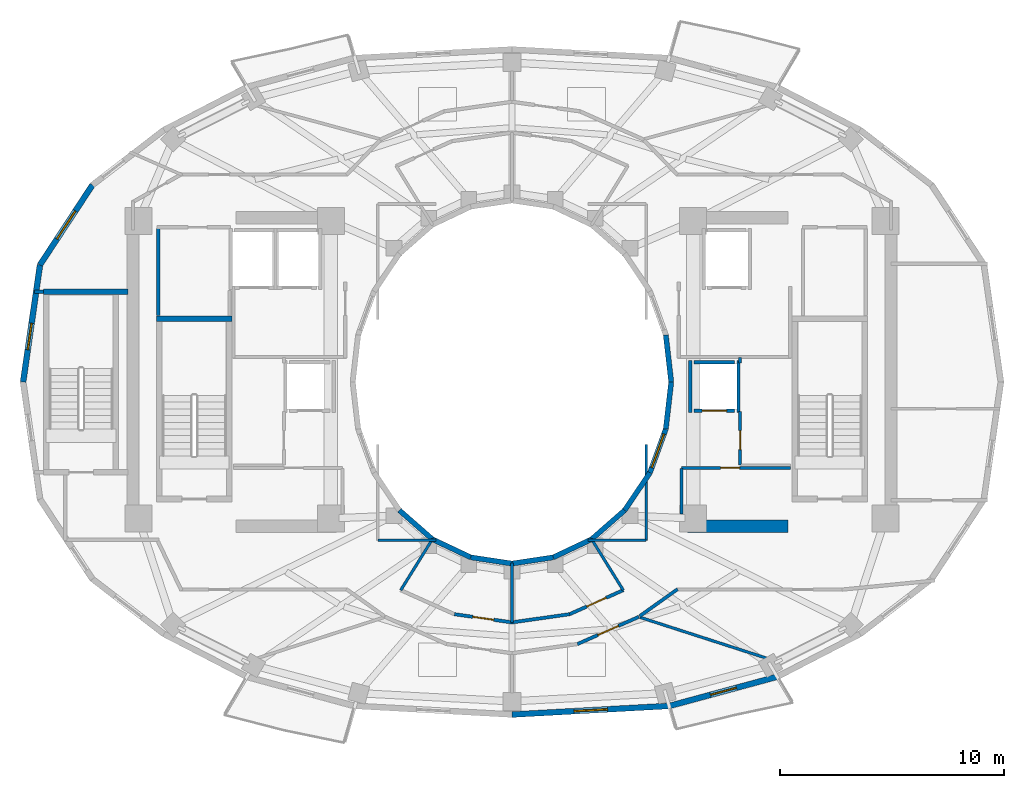
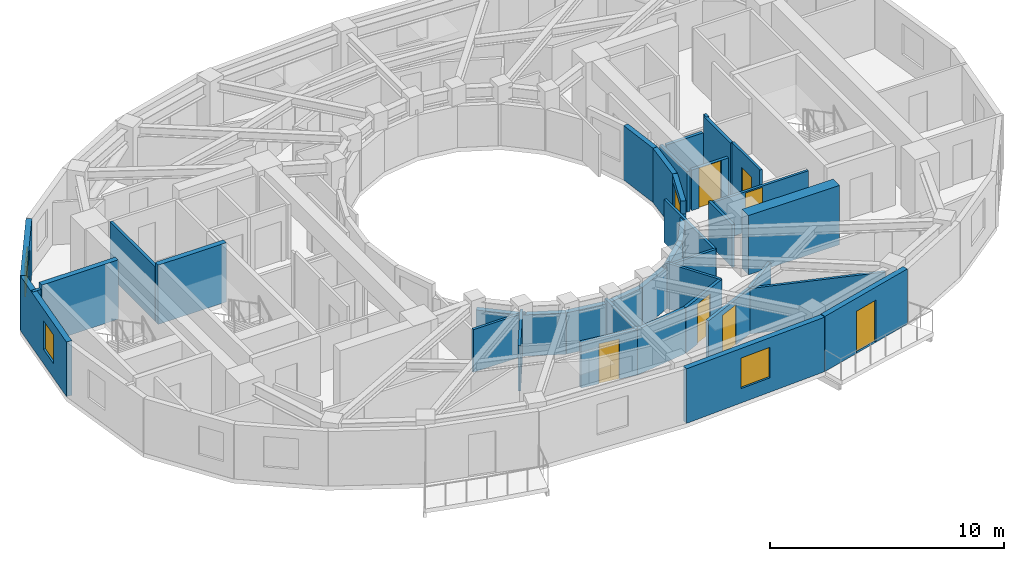
# One storey, part 4 of 10: 39 walls, 7 doors, 4 windows, 11 openings.
"""IFC4 building model written with IfcOpenShell, lengths in metres."""

from ifc_helpers import new_model, si_unit, direction, frame, frame_2d, origin, place, context, subcontext, project, spatial, rectangle, extrude, material, layer, layer_set, type_object, element, fill, save


model = new_model("IFC4")

# Units and contexts
model_context = context("Model", 3, precision=1e-05, world=origin(), true_north=direction((0.0, 1.0)))
body_context = subcontext(model_context, "Body", "Model", "MODEL_VIEW")
ifc_project = project(units=[si_unit("LENGTHUNIT", "METRE"), si_unit("AREAUNIT", "SQUARE_METRE"), si_unit("VOLUMEUNIT", "CUBIC_METRE"), si_unit("PLANEANGLEUNIT", "RADIAN"), si_unit("MASSUNIT", "GRAM", prefix="KILO")], contexts=[model_context])

# Site, building, storey
site_placement = place(None, origin())
site = spatial("IfcSite", under=ifc_project, at=site_placement, CompositionType="ELEMENT")
building_placement = place(site_placement, origin())
building = spatial("IfcBuilding", under=site, at=building_placement, Name="Solvane Sanctuary Tower", CompositionType="ELEMENT")
storey_placement = place(building_placement, frame((0.0, 0.0, 204.699951171875)))
storey = spatial("IfcBuildingStorey", under=building, at=storey_placement, Name="L62", CompositionType="ELEMENT", Elevation=204.699951171875)

# Wall
ifc_material_1 = material(Name="Concrete C50/60", Category="concrete")
ifc_layer_1 = layer(ifc_material_1, 0.550048828125, Name="Concrete C50/60")
ifc_layer_set_1 = layer_set([ifc_layer_1], Name="Concrete C50/60")
wall_type_1 = type_object("IfcWallType", Name="Wall W-CORE-550", PredefinedType="SHEAR", material=ifc_layer_set_1)
wall_1_placement = place(storey_placement, frame((39.85009765625, 16.550048828125, 0.0), z_axis=(0.0, 0.0, 1.0), x_axis=(1.0, 0.0, 0.0)))
element("IfcWall", 1, at=wall_1_placement, inside=storey, type_object=wall_type_1, Name="L62 Core Shear Wall EC-S", PredefinedType="SHEAR", context=body_context, shape_type="SweptSolid", body=[
    extrude(rectangle(XDim=4.5, YDim=0.550048828125, at=frame_2d((2.25, 0.0))), origin(), (0.0, 0.0, 1.0), 3.10009765625),
])

# Wall, opening, door
ifc_material_2 = material(Name="Acoustic Gypsum Partition Board")
ifc_layer_2 = layer(ifc_material_2, 0.14990234375, Name="Acoustic Gypsum Partition Board")
ifc_layer_set_2 = layer_set([ifc_layer_2], Name="Acoustic Gypsum Partition Board")
wall_type_2 = type_object("IfcWallType", Name="Wall W-CORR-150", PredefinedType="PARTITIONING", material=ifc_layer_set_2)
wall_2_placement = place(storey_placement, frame((29.423095703125, 12.61669921875, 0.0), z_axis=(0.0, 0.0, 1.0), x_axis=(0.990078185178, -0.140517569133, 0.0)))
wall_2 = element("IfcWall", 2, at=wall_2_placement, inside=storey, type_object=wall_type_2, Name="L62 South Light-Well Corridor Wall 1", PredefinedType="PARTITIONING", context=body_context, shape_type="SweptSolid", body=[
    extrude(rectangle(XDim=2.609619140625, YDim=0.14990234375, at=frame_2d((1.3046875, 0.0))), origin(), (0.0, 0.0, 1.0), 2.3759765625),
])
opening_1_placement = place(wall_2_placement, frame((0.829833984375, 0.0, 0.0)))
opening_1 = element("IfcOpeningElement", 3, at=opening_1_placement, cuts=wall_2, Name="Opening D-L62-18", PredefinedType="OPENING", context=body_context, shape_type="SweptSolid", body=[
    extrude(rectangle(XDim=0.949951171875, YDim=2.10009765625, at=frame_2d((0.47509765625, 1.050048828125))), frame((0.0, 0.0849609375, 0.0), z_axis=(0.0, -1.0, 0.0), x_axis=(1.0, 0.0, 0.0)), (0.0, 0.0, 1.0), 0.169921875),
])
ifc_material_3 = material(Name="Engineered Tropical Hardwood", Category="wood")
door_type_1 = type_object("IfcDoorType", Name="Door D-ROOM-950", OperationType="NOTDEFINED", PredefinedType="DOOR", material=ifc_material_3)
door_1_placement = place(opening_1_placement, origin())
door_1 = element("IfcDoor", 4, at=door_1_placement, inside=storey, type_object=door_type_1, Name="L62 South Light-Well Alcove Door 1", OperationType="SINGLE_SWING_LEFT", OverallHeight=2.10009765625, OverallWidth=0.949951171875, PredefinedType="DOOR", context=body_context, shape_type="SweptSolid", body=[
    extrude(rectangle(XDim=0.949951171875, YDim=2.10009765625, at=frame_2d((0.47509765625, 1.050048828125))), frame((0.0, 0.02490234375, 0.0), z_axis=(0.0, -1.0, 0.0), x_axis=(1.0, 0.0, 0.0)), (0.0, 0.0, 1.0), 0.050048828125),
])
fill(opening_1, door_1)

# Wall
wall_3_placement = place(storey_placement, frame((31.9931640625, 12.25, 0.0), z_axis=(0.0, 0.0, 1.0), x_axis=(0.990078185178, 0.140517569133, 0.0)))
element("IfcWall", 5, at=wall_3_placement, inside=storey, type_object=wall_type_2, Name="L62 South Light-Well Corridor Wall 2", PredefinedType="PARTITIONING", context=body_context, shape_type="SweptSolid", body=[
    extrude(rectangle(XDim=2.609619140625, YDim=0.14990234375, at=frame_2d((1.3046875, 0.0))), origin(), (0.0, 0.0, 1.0), 2.3759765625),
])

# Wall, opening, door
wall_4_placement = place(storey_placement, frame((34.573486328125, 12.61572265625, 0.0), z_axis=(0.0, 0.0, 1.0), x_axis=(0.912628408652, 0.408790151203, 0.0)))
wall_4 = element("IfcWall", 6, at=wall_4_placement, inside=storey, type_object=wall_type_2, Name="L62 South Light-Well Corridor Wall 2", PredefinedType="PARTITIONING", context=body_context, shape_type="SweptSolid", body=[
    extrude(rectangle(XDim=2.637939453125, YDim=0.14990234375, at=frame_2d((1.31884765625, 0.0))), origin(), (0.0, 0.0, 1.0), 2.3759765625),
])
opening_2_placement = place(wall_4_placement, frame((0.843994140625, 0.0, 0.0)))
opening_2 = element("IfcOpeningElement", 7, at=opening_2_placement, cuts=wall_4, Name="Opening D-L62-19", PredefinedType="OPENING", context=body_context, shape_type="SweptSolid", body=[
    extrude(rectangle(XDim=0.949951171875, YDim=2.10009765625, at=frame_2d((0.47509765625, 1.050048828125))), frame((0.0, 0.0849609375, 0.0), z_axis=(0.0, -1.0, 0.0), x_axis=(1.0, 0.0, 0.0)), (0.0, 0.0, 1.0), 0.169921875),
])
door_2_placement = place(opening_2_placement, origin())
door_2 = element("IfcDoor", 8, at=door_2_placement, inside=storey, type_object=door_type_1, Name="L62 South Light-Well Alcove Door 2", OperationType="SINGLE_SWING_RIGHT", OverallHeight=2.10009765625, OverallWidth=0.949951171875, PredefinedType="DOOR", context=body_context, shape_type="SweptSolid", body=[
    extrude(rectangle(XDim=0.949951171875, YDim=2.10009765625, at=frame_2d((0.47509765625, 1.050048828125))), frame((0.0, 0.02490234375, 0.0), z_axis=(0.0, -1.0, 0.0), x_axis=(1.0, 0.0, 0.0)), (0.0, 0.0, 1.0), 0.050048828125),
])
fill(opening_2, door_2)

# Walls
wall_5_placement = place(storey_placement, frame((10.639892578125, 27.030029296875, 0.0), z_axis=(0.0, 0.0, 1.0), x_axis=(1.0, 0.0, 0.0)))
element("IfcWall", 9, at=wall_5_placement, inside=storey, type_object=wall_type_2, Name="L62 NW Corner Closer 1", PredefinedType="PARTITIONING", context=body_context, shape_type="SweptSolid", body=[
    extrude(rectangle(XDim=0.400146484375, YDim=0.14990234375, at=frame_2d((0.2001953125, 0.0))), origin(), (0.0, 0.0, 1.0), 2.85498046875),
])
wall_6_placement = place(storey_placement, frame((37.709716796875, 12.527099609375, 0.0), z_axis=(0.0, 0.0, 1.0), x_axis=(0.813780999276, 0.581171648669, 0.0)))
element("IfcWall", 10, at=wall_6_placement, inside=storey, type_object=wall_type_2, Name="L62 SE Corner Throat Wall", PredefinedType="PARTITIONING", context=body_context, shape_type="SweptSolid", body=[
    extrude(rectangle(XDim=2.082275390625, YDim=0.14990234375, at=frame_2d((1.041015625, 0.0))), origin(), (0.0, 0.0, 1.0), 2.3759765625),
])

# Wall, opening, door
wall_7_placement = place(storey_placement, frame((34.9248046875, 11.281005859375, 0.0), z_axis=(0.0, 0.0, 1.0), x_axis=(0.914139569865, 0.405399613724, 0.0)))
wall_7 = element("IfcWall", 11, at=wall_7_placement, inside=storey, type_object=wall_type_2, Name="L62 Unit Corridor Wall S2", PredefinedType="PARTITIONING", context=body_context, shape_type="SweptSolid", body=[
    extrude(rectangle(XDim=3.005126953125, YDim=0.14990234375, at=frame_2d((1.50244140625, 0.0))), origin(), (0.0, 0.0, 1.0), 2.3759765625),
])
opening_3_placement = place(wall_7_placement, frame((1.00244140625, 0.0, 0.0)))
opening_3 = element("IfcOpeningElement", 12, at=opening_3_placement, cuts=wall_7, Name="Opening D-L62-30", PredefinedType="OPENING", context=body_context, shape_type="SweptSolid", body=[
    extrude(rectangle(XDim=1.0, YDim=2.10009765625, at=frame_2d((0.5, 1.050048828125))), frame((0.0, 0.0849609375, 0.0), z_axis=(0.0, -1.0, 0.0), x_axis=(1.0, 0.0, 0.0)), (0.0, 0.0, 1.0), 0.169921875),
])
door_type_2 = type_object("IfcDoorType", Name="Door D-UNIT", OperationType="NOTDEFINED", PredefinedType="DOOR", material=ifc_material_3)
door_3_placement = place(opening_3_placement, origin())
door_3 = element("IfcDoor", 13, at=door_3_placement, inside=storey, type_object=door_type_2, Name="L62 Unit Entrance Door S2", OperationType="SINGLE_SWING_LEFT", OverallHeight=2.10009765625, OverallWidth=1.0, PredefinedType="DOOR", context=body_context, shape_type="SweptSolid", body=[
    extrude(rectangle(XDim=1.0, YDim=2.10009765625, at=frame_2d((0.5, 1.050048828125))), frame((0.0, 0.02490234375, 0.0), z_axis=(0.0, -1.0, 0.0), x_axis=(1.0, 0.0, 0.0)), (0.0, 0.0, 1.0), 0.050048828125),
])
fill(opening_3, door_3)

# Wall, opening, window
ifc_material_4 = material(Name="Precast concrete C40/50", Category="concrete")
ifc_layer_3 = layer(ifc_material_4, 0.260009765625, Name="Precast concrete C40/50")
ifc_layer_set_3 = layer_set([ifc_layer_3], Name="Precast concrete C40/50")
wall_type_3 = type_object("IfcWallType", Name="Wall W-EXT-250", PredefinedType="STANDARD", material=ifc_layer_set_3)
wall_8_placement = place(storey_placement, frame((13.239013671875, 31.80908203125, 0.0), z_axis=(0.0, 0.0, 1.0), x_axis=(-0.548776305075, -0.835969238064, 0.0)))
wall_8 = element("IfcWall", 14, at=wall_8_placement, inside=storey, type_object=wall_type_3, Name="L62 Ceramic-Printed Facade Wall 10", PredefinedType="STANDARD", context=body_context, shape_type="SweptSolid", body=[
    extrude(rectangle(XDim=4.270751953125, YDim=0.260009765625, at=frame_2d((2.13525390625, 0.0))), origin(), (0.0, 0.0, 1.0), 2.85009765625),
])
opening_4_placement = place(wall_8_placement, frame((1.385498046875, 0.0, 0.75)))
opening_4 = element("IfcOpeningElement", 15, at=opening_4_placement, cuts=wall_8, Name="Opening WN-OPER-1500", PredefinedType="OPENING", context=body_context, shape_type="SweptSolid", body=[
    extrude(rectangle(XDim=1.5, YDim=1.60009765625, at=frame_2d((0.75, 0.800048828125))), frame((0.0, 0.139892578125, 0.0), z_axis=(0.0, -1.0, 0.0), x_axis=(1.0, 0.0, 0.0)), (0.0, 0.0, 1.0), 0.280029296875),
])
ifc_material_5 = material(Name="Dark Ceramic-Fritted Low-E Glass", Category="glass")
window_type_1 = type_object("IfcWindowType", Name="Window WN-OPER-1500", PartitioningType="SINGLE_PANEL", PredefinedType="WINDOW", material=ifc_material_5)
window_1_placement = place(opening_4_placement, origin())
window_1 = element("IfcWindow", 16, at=window_1_placement, inside=storey, type_object=window_type_1, Name="L62 Operable Facade Window 10", OverallHeight=1.60009765625, OverallWidth=1.5, PartitioningType="SINGLE_PANEL", PredefinedType="WINDOW", context=body_context, shape_type="SweptSolid", body=[
    extrude(rectangle(XDim=1.5, YDim=1.60009765625, at=frame_2d((0.75, 0.800048828125))), frame((0.0, 0.030029296875, 0.0), z_axis=(0.0, -1.0, 0.0), x_axis=(1.0, 0.0, 0.0)), (0.0, 0.0, 1.0), 0.06005859375),
])
fill(opening_4, window_1)

wall_9_placement = place(storey_placement, frame((10.895263671875, 28.23876953125, 0.0), z_axis=(0.0, 0.0, 1.0), x_axis=(-0.142712754019, -0.989764148593, 0.0)))
wall_9 = element("IfcWall", 17, at=wall_9_placement, inside=storey, type_object=wall_type_3, Name="L62 Ceramic-Printed Facade Wall 11", PredefinedType="STANDARD", context=body_context, shape_type="SweptSolid", body=[
    extrude(rectangle(XDim=5.29296875, YDim=0.260009765625, at=frame_2d((2.646484375, 0.0))), origin(), (0.0, 0.0, 1.0), 2.85009765625),
])
opening_5_placement = place(wall_9_placement, frame((2.635009765625, 0.0, 0.75)))
opening_5 = element("IfcOpeningElement", 18, at=opening_5_placement, cuts=wall_9, Name="Opening WN-OPER-1200", PredefinedType="OPENING", context=body_context, shape_type="SweptSolid", body=[
    extrude(rectangle(XDim=1.199951171875, YDim=1.5, at=frame_2d((0.60009765625, 0.75))), frame((0.0, 0.139892578125, 0.0), z_axis=(0.0, -1.0, 0.0), x_axis=(1.0, 0.0, 0.0)), (0.0, 0.0, 1.0), 0.280029296875),
])
window_type_2 = type_object("IfcWindowType", Name="Window WN-OPER-1200", PartitioningType="SINGLE_PANEL", PredefinedType="WINDOW", material=ifc_material_5)
window_2_placement = place(opening_5_placement, origin())
window_2 = element("IfcWindow", 19, at=window_2_placement, inside=storey, type_object=window_type_2, Name="L62 Operable Facade Window 11", OverallHeight=1.5, OverallWidth=1.199951171875, PartitioningType="SINGLE_PANEL", PredefinedType="WINDOW", context=body_context, shape_type="SweptSolid", body=[
    extrude(rectangle(XDim=1.199951171875, YDim=1.5, at=frame_2d((0.60009765625, 0.75))), frame((0.0, 0.030029296875, 0.0), z_axis=(0.0, -1.0, 0.0), x_axis=(1.0, 0.0, 0.0)), (0.0, 0.0, 1.0), 0.06005859375),
])
fill(opening_5, window_2)

wall_10_placement = place(storey_placement, frame((32.0, 8.1279296875, 0.0), z_axis=(0.0, 0.0, 1.0), x_axis=(0.998490239527, 0.054929423535, 0.0)))
wall_10 = element("IfcWall", 20, at=wall_10_placement, inside=storey, type_object=wall_type_3, Name="L62 Ceramic-Printed Facade Wall 18", PredefinedType="STANDARD", context=body_context, shape_type="SweptSolid", body=[
    extrude(rectangle(XDim=7.0537109375, YDim=0.260009765625, at=frame_2d((3.52685546875, 0.0))), origin(), (0.0, 0.0, 1.0), 2.85009765625),
])
opening_6_placement = place(wall_10_placement, frame((2.77685546875, 0.0, 0.75)))
opening_6 = element("IfcOpeningElement", 21, at=opening_6_placement, cuts=wall_10, Name="Opening WN-OPER-1500", PredefinedType="OPENING", context=body_context, shape_type="SweptSolid", body=[
    extrude(rectangle(XDim=1.5, YDim=1.60009765625, at=frame_2d((0.75, 0.800048828125))), frame((0.0, 0.139892578125, 0.0), z_axis=(0.0, -1.0, 0.0), x_axis=(1.0, 0.0, 0.0)), (0.0, 0.0, 1.0), 0.280029296875),
])
window_3_placement = place(opening_6_placement, origin())
window_3 = element("IfcWindow", 22, at=window_3_placement, inside=storey, type_object=window_type_1, Name="L62 Operable Facade Window 18", OverallHeight=1.60009765625, OverallWidth=1.5, PartitioningType="SINGLE_PANEL", PredefinedType="WINDOW", context=body_context, shape_type="SweptSolid", body=[
    extrude(rectangle(XDim=1.5, YDim=1.60009765625, at=frame_2d((0.75, 0.800048828125))), frame((0.0, 0.030029296875, 0.0), z_axis=(0.0, -1.0, 0.0), x_axis=(1.0, 0.0, 0.0)), (0.0, 0.0, 1.0), 0.06005859375),
])
fill(opening_6, window_3)

# Wall, opening, door
wall_11_placement = place(storey_placement, frame((39.04296875, 8.515380859375, 0.0), z_axis=(0.0, 0.0, 1.0), x_axis=(0.965213026382, 0.261464746576, 0.0)))
wall_11 = element("IfcWall", 23, at=wall_11_placement, inside=storey, type_object=wall_type_3, Name="L62 Balcony Facade Wall S2", PredefinedType="STANDARD", context=body_context, shape_type="SweptSolid", body=[
    extrude(rectangle(XDim=5.001220703125, YDim=0.260009765625, at=frame_2d((2.50048828125, 0.0))), origin(), (0.0, 0.0, 1.0), 2.880126953125),
])
opening_7_placement = place(wall_11_placement, frame((1.900390625, 0.0, 0.0)))
opening_7 = element("IfcOpeningElement", 24, at=opening_7_placement, cuts=wall_11, Name="Opening D-L62-04", PredefinedType="OPENING", context=body_context, shape_type="SweptSolid", body=[
    extrude(rectangle(XDim=1.199951171875, YDim=2.199951171875, at=frame_2d((0.60009765625, 1.10009765625))), frame((0.0, 0.139892578125, 0.0), z_axis=(0.0, -1.0, 0.0), x_axis=(1.0, 0.0, 0.0)), (0.0, 0.0, 1.0), 0.280029296875),
])
ifc_material_6 = material(Name="Anodised Aluminium 6063-T6", Category="aluminium")
door_type_3 = type_object("IfcDoorType", Name="Door D-BALC-1200", OperationType="NOTDEFINED", PredefinedType="DOOR", material=ifc_material_6)
door_4_placement = place(opening_7_placement, origin())
door_4 = element("IfcDoor", 25, at=door_4_placement, inside=storey, type_object=door_type_3, Name="L62 Glazed Balcony Door S2", OperationType="SINGLE_SWING_LEFT", OverallHeight=2.199951171875, OverallWidth=1.199951171875, PredefinedType="DOOR", context=body_context, shape_type="SweptSolid", body=[
    extrude(rectangle(XDim=1.199951171875, YDim=2.199951171875, at=frame_2d((0.60009765625, 1.10009765625))), frame((0.0, 0.02490234375, 0.0), z_axis=(0.0, -1.0, 0.0), x_axis=(1.0, 0.0, 0.0)), (0.0, 0.0, 1.0), 0.050048828125),
])
fill(opening_7, door_4)

# Walls
ifc_layer_4 = layer(ifc_material_4, 0.22998046875, Name="Precast concrete C40/50")
ifc_layer_set_4 = layer_set([ifc_layer_4], Name="Precast concrete C40/50")
wall_type_4 = type_object("IfcWallType", Name="Wall W-EXT-SP220", PredefinedType="STANDARD", material=ifc_layer_set_4)
wall_12_placement = place(storey_placement, frame((39.1201171875, 23.0, 0.0), z_axis=(0.0, 0.0, 1.0), x_axis=(-0.114711713601, 0.993398823617, 0.0)))
element("IfcWall", 26, at=wall_12_placement, inside=storey, type_object=wall_type_4, Name="L62 Central Light-Well Wall 00", PredefinedType="STANDARD", context=body_context, shape_type="SweptSolid", body=[
    extrude(rectangle(XDim=2.115478515625, YDim=0.22998046875, at=frame_2d((1.0576171875, 0.0))), origin(), (0.0, 0.0, 1.0), 2.840087890625),
])
wall_13_placement = place(storey_placement, frame((26.96533203125, 17.25830078125, 0.0), z_axis=(0.0, 0.0, 1.0), x_axis=(0.752576694707, -0.658504607869, 0.0)))
element("IfcWall", 27, at=wall_13_placement, inside=storey, type_object=wall_type_4, Name="L62 Central Light-Well Wall 15", PredefinedType="STANDARD", context=body_context, shape_type="SweptSolid", body=[
    extrude(rectangle(XDim=1.95947265625, YDim=0.22998046875, at=frame_2d((0.979736328125, 0.0))), origin(), (0.0, 0.0, 1.0), 2.16015625),
])
wall_14_placement = place(storey_placement, frame((28.43994140625, 15.968017578125, 0.0), z_axis=(0.0, 0.0, 1.0), x_axis=(0.904179699603, -0.427152280606, 0.0)))
element("IfcWall", 28, at=wall_14_placement, inside=storey, type_object=wall_type_4, Name="L62 Central Light-Well Wall 16", PredefinedType="STANDARD", context=body_context, shape_type="SweptSolid", body=[
    extrude(rectangle(XDim=1.899169921875, YDim=0.22998046875, at=frame_2d((0.94970703125, 0.0))), origin(), (0.0, 0.0, 1.0), 2.16015625),
])
for number, where, z_axis, x_axis, name in (
    (29, (30.1572265625, 15.15673828125, 0.0), (0.0, 0.0, 1.0), (0.988901730308, -0.148571086668, 0.0), "L62 Central Light-Well Wall 17"),
    (30, (32.0, 14.8798828125, 0.0), (0.0, 0.0, 1.0), (0.988901730308, 0.148571086668, 0.0), "L62 Central Light-Well Wall 18"),
):
    element("IfcWall", number, at=place(storey_placement, frame(where, z_axis=z_axis, x_axis=x_axis)), inside=storey, type_object=wall_type_4, Name=name, PredefinedType="STANDARD", context=body_context, shape_type="SweptSolid", body=[
        extrude(rectangle(XDim=1.863525390625, YDim=0.22998046875, at=frame_2d((0.931640625, 0.0))), origin(), (0.0, 0.0, 1.0), 2.16015625),
    ])
wall_15_placement = place(storey_placement, frame((33.8427734375, 15.15673828125, 0.0), z_axis=(0.0, 0.0, 1.0), x_axis=(0.904179699603, 0.427152280606, 0.0)))
element("IfcWall", 31, at=wall_15_placement, inside=storey, type_object=wall_type_4, Name="L62 Central Light-Well Wall 19", PredefinedType="STANDARD", context=body_context, shape_type="SweptSolid", body=[
    extrude(rectangle(XDim=1.899169921875, YDim=0.22998046875, at=frame_2d((0.94970703125, 0.0))), origin(), (0.0, 0.0, 1.0), 2.16015625),
])
wall_16_placement = place(storey_placement, frame((35.56005859375, 15.968017578125, 0.0), z_axis=(0.0, 0.0, 1.0), x_axis=(0.752576694707, 0.658504607869, 0.0)))
element("IfcWall", 32, at=wall_16_placement, inside=storey, type_object=wall_type_4, Name="L62 Central Light-Well Wall 20", PredefinedType="STANDARD", context=body_context, shape_type="SweptSolid", body=[
    extrude(rectangle(XDim=1.95947265625, YDim=0.22998046875, at=frame_2d((0.979736328125, 0.0))), origin(), (0.0, 0.0, 1.0), 2.16015625),
])
wall_17_placement = place(storey_placement, frame((37.03466796875, 17.25830078125, 0.0), z_axis=(0.0, 0.0, 1.0), x_axis=(0.558197800898, 0.829707909492, 0.0)))
element("IfcWall", 33, at=wall_17_placement, inside=storey, type_object=wall_type_4, Name="L62 Central Light-Well Wall 21", PredefinedType="STANDARD", context=body_context, shape_type="SweptSolid", body=[
    extrude(rectangle(XDim=2.02685546875, YDim=0.22998046875, at=frame_2d((1.013427734375, 0.0))), origin(), (0.0, 0.0, 1.0), 2.16015625),
])

# Wall, opening, window
wall_18_placement = place(storey_placement, frame((38.166015625, 18.93994140625, 0.0), z_axis=(0.0, 0.0, 1.0), x_axis=(0.341423187295, 0.93990968033, 0.0)))
wall_18 = element("IfcWall", 34, at=wall_18_placement, inside=storey, type_object=wall_type_4, Name="L62 Central Light-Well Wall 22", PredefinedType="STANDARD", context=body_context, shape_type="SweptSolid", body=[
    extrude(rectangle(XDim=2.083740234375, YDim=0.22998046875, at=frame_2d((1.0419921875, 0.0))), origin(), (0.0, 0.0, 1.0), 2.840087890625),
])
opening_8_placement = place(wall_18_placement, frame((0.24169921875, 0.0, 0.85009765625)))
opening_8 = element("IfcOpeningElement", 35, at=opening_8_placement, cuts=wall_18, Name="Opening WN-WELL-1600", PredefinedType="OPENING", context=body_context, shape_type="SweptSolid", body=[
    extrude(rectangle(XDim=1.60009765625, YDim=1.64990234375, at=frame_2d((0.800048828125, 0.824951171875))), frame((0.0, 0.125, 0.0), z_axis=(0.0, -1.0, 0.0), x_axis=(1.0, 0.0, 0.0)), (0.0, 0.0, 1.0), 0.25),
])
ifc_material_7 = material(Name="Clear Laminated Light-Well Glass", Category="glass")
window_type_3 = type_object("IfcWindowType", Name="Window WN-WELL-1600", PartitioningType="SINGLE_PANEL", PredefinedType="WINDOW", material=ifc_material_7)
window_4_placement = place(opening_8_placement, origin())
window_4 = element("IfcWindow", 36, at=window_4_placement, inside=storey, type_object=window_type_3, Name="L62 Light-Well Daylight Window 22", OverallHeight=1.64990234375, OverallWidth=1.60009765625, PartitioningType="SINGLE_PANEL", PredefinedType="WINDOW", context=body_context, shape_type="SweptSolid", body=[
    extrude(rectangle(XDim=1.60009765625, YDim=1.64990234375, at=frame_2d((0.800048828125, 0.824951171875))), frame((0.0, 0.030029296875, 0.0), z_axis=(0.0, -1.0, 0.0), x_axis=(1.0, 0.0, 0.0)), (0.0, 0.0, 1.0), 0.06005859375),
])
fill(opening_8, window_4)

# Wall
wall_19_placement = place(storey_placement, frame((38.87744140625, 20.8984375, 0.0), z_axis=(0.0, 0.0, 1.0), x_axis=(0.114711713601, 0.993398823617, 0.0)))
element("IfcWall", 37, at=wall_19_placement, inside=storey, type_object=wall_type_4, Name="L62 Central Light-Well Wall 23", PredefinedType="STANDARD", context=body_context, shape_type="SweptSolid", body=[
    extrude(rectangle(XDim=2.115478515625, YDim=0.22998046875, at=frame_2d((1.0576171875, 0.0))), origin(), (0.0, 0.0, 1.0), 2.840087890625),
])

# Wall, opening, door
ifc_layer_5 = layer(ifc_material_2, 0.125, Name="Acoustic Gypsum Partition Board")
ifc_layer_set_5 = layer_set([ifc_layer_5], Name="Acoustic Gypsum Partition Board")
wall_type_5 = type_object("IfcWallType", Name="Wall W-PART-125", PredefinedType="PARTITIONING", material=ifc_layer_set_5)
wall_20_placement = place(storey_placement, frame((39.580078125, 19.159912109375, 0.0), z_axis=(0.0, 0.0, 1.0), x_axis=(1.0, 0.0, 0.0)))
wall_20 = element("IfcWall", 38, at=wall_20_placement, inside=storey, type_object=wall_type_5, Name="L62 Reclaimed Room Partition PLE", PredefinedType="PARTITIONING", context=body_context, shape_type="SweptSolid", body=[
    extrude(rectangle(XDim=4.869873046875, YDim=0.125, at=frame_2d((2.43505859375, 0.0))), origin(), (0.0, 0.0, 1.0), 2.1201171875),
])
opening_9_placement = place(wall_20_placement, frame((1.748291015625, 0.0, 0.0)))
opening_9 = element("IfcOpeningElement", 39, at=opening_9_placement, cuts=wall_20, Name="Opening D-L62-11", PredefinedType="OPENING", context=body_context, shape_type="SweptSolid", body=[
    extrude(rectangle(XDim=0.85009765625, YDim=2.050048828125, at=frame_2d((0.425048828125, 1.02490234375))), frame((0.0, 0.072509765625, 0.0), z_axis=(0.0, -1.0, 0.0), x_axis=(1.0, 0.0, 0.0)), (0.0, 0.0, 1.0), 0.14501953125),
])
ifc_material_8 = material(Name="Architectural Stainless Steel 316", Category="steel")
door_type_4 = type_object("IfcDoorType", Name="Door D-RISER", OperationType="NOTDEFINED", PredefinedType="DOOR", material=ifc_material_8)
door_5_placement = place(opening_9_placement, origin())
door_5 = element("IfcDoor", 40, at=door_5_placement, inside=storey, type_object=door_type_4, Name="L62 Reclaimed Room Door PLE-1", OperationType="SINGLE_SWING_RIGHT", OverallHeight=2.050048828125, OverallWidth=0.85009765625, PredefinedType="DOOR", context=body_context, shape_type="SweptSolid", body=[
    extrude(rectangle(XDim=0.85009765625, YDim=2.050048828125, at=frame_2d((0.425048828125, 1.02490234375))), frame((0.0, 0.02490234375, 0.0), z_axis=(0.0, -1.0, 0.0), x_axis=(1.0, 0.0, 0.0)), (0.0, 0.0, 1.0), 0.050048828125),
])
fill(opening_9, door_5)

# Wall
wall_21_placement = place(storey_placement, frame((39.580078125, 17.10009765625, 0.0), z_axis=(0.0, 0.0, 1.0), x_axis=(0.0, 1.0, 0.0)))
element("IfcWall", 41, at=wall_21_placement, inside=storey, type_object=wall_type_5, Name="L62 Reclaimed Room Closer Wall PLE-1", PredefinedType="PARTITIONING", context=body_context, shape_type="SweptSolid", body=[
    extrude(rectangle(XDim=2.039794921875, YDim=0.125, at=frame_2d((1.02001953125, 0.0))), origin(), (0.0, 0.0, 1.0), 2.23193359375),
])

# Wall, opening, door
wall_22_placement = place(storey_placement, frame((42.199951171875, 19.280029296875, 0.0), z_axis=(0.0, 0.0, 1.0), x_axis=(0.0, 1.0, 0.0)))
wall_22 = element("IfcWall", 42, at=wall_22_placement, inside=storey, type_object=wall_type_5, Name="L62 Reclaimed Room Partition PME", PredefinedType="PARTITIONING", context=body_context, shape_type="SweptSolid", body=[
    extrude(rectangle(XDim=2.39990234375, YDim=0.125, at=frame_2d((1.199951171875, 0.0))), origin(), (0.0, 0.0, 1.0), 2.85498046875),
])
opening_10_placement = place(wall_22_placement, frame((0.699951171875, 0.0, 0.0)))
opening_10 = element("IfcOpeningElement", 43, at=opening_10_placement, cuts=wall_22, Name="Opening D-L62-13", PredefinedType="OPENING", context=body_context, shape_type="SweptSolid", body=[
    extrude(rectangle(XDim=0.85009765625, YDim=2.050048828125, at=frame_2d((0.425048828125, 1.02490234375))), frame((0.0, 0.072509765625, 0.0), z_axis=(0.0, -1.0, 0.0), x_axis=(1.0, 0.0, 0.0)), (0.0, 0.0, 1.0), 0.14501953125),
])
door_6_placement = place(opening_10_placement, origin())
door_6 = element("IfcDoor", 44, at=door_6_placement, inside=storey, type_object=door_type_4, Name="L62 Reclaimed Room Door PME-1", OperationType="SINGLE_SWING_RIGHT", OverallHeight=2.050048828125, OverallWidth=0.85009765625, PredefinedType="DOOR", context=body_context, shape_type="SweptSolid", body=[
    extrude(rectangle(XDim=0.85009765625, YDim=2.050048828125, at=frame_2d((0.425048828125, 1.02490234375))), frame((0.0, 0.02490234375, 0.0), z_axis=(0.0, -1.0, 0.0), x_axis=(1.0, 0.0, 0.0)), (0.0, 0.0, 1.0), 0.050048828125),
])
fill(opening_10, door_6)

# Walls
wall_23_placement = place(storey_placement, frame((42.199951171875, 23.85009765625, 0.0), z_axis=(0.0, 0.0, 1.0), x_axis=(0.0, 1.0, 0.0)))
element("IfcWall", 45, at=wall_23_placement, inside=storey, type_object=wall_type_5, Name="L62 Reclaimed Room Dividing Wall PME", PredefinedType="PARTITIONING", context=body_context, shape_type="SweptSolid", body=[
    extrude(rectangle(XDim=0.25, YDim=0.125, at=frame_2d((0.125, 0.0))), origin(), (0.0, 0.0, 1.0), 2.85498046875),
])
wall_24_placement = place(storey_placement, frame((28.449951171875, 15.985107421875, 0.0), z_axis=(0.0, 0.0, 1.0), x_axis=(-0.527527080983, -0.849538215049, 0.0)))
element("IfcWall", 46, at=wall_24_placement, inside=storey, type_object=wall_type_5, Name="L62 South Light-Well Radial Wall 240", PredefinedType="PARTITIONING", context=body_context, shape_type="SweptSolid", body=[
    extrude(rectangle(XDim=2.701416015625, YDim=0.125, at=frame_2d((1.3505859375, 0.0))), origin(), (0.0, 0.0, 1.0), 2.3759765625),
])
wall_25_placement = place(storey_placement, frame((32.0, 14.89990234375, 0.0), z_axis=(0.0, 0.0, 1.0), x_axis=(0.0, -1.0, 0.0)))
element("IfcWall", 47, at=wall_25_placement, inside=storey, type_object=wall_type_5, Name="L62 South Light-Well Radial Wall 270", PredefinedType="PARTITIONING", context=body_context, shape_type="SweptSolid", body=[
    extrude(rectangle(XDim=2.64990234375, YDim=0.125, at=frame_2d((1.324951171875, 0.0))), origin(), (0.0, 0.0, 1.0), 2.3759765625),
])
wall_26_placement = place(storey_placement, frame((35.550048828125, 15.985107421875, 0.0), z_axis=(0.0, 0.0, 1.0), x_axis=(0.527527080983, -0.849538215049, 0.0)))
element("IfcWall", 48, at=wall_26_placement, inside=storey, type_object=wall_type_5, Name="L62 South Light-Well Radial Wall 300", PredefinedType="PARTITIONING", context=body_context, shape_type="SweptSolid", body=[
    extrude(rectangle(XDim=2.701416015625, YDim=0.125, at=frame_2d((1.3505859375, 0.0))), origin(), (0.0, 0.0, 1.0), 2.3759765625),
])
wall_27_placement = place(storey_placement, frame((26.0, 15.919921875, 0.0), z_axis=(0.0, 0.0, 1.0), x_axis=(1.0, 0.0, 0.0)))
element("IfcWall", 49, at=wall_27_placement, inside=storey, type_object=wall_type_5, Name="L62 Bridge Alcove Wall 6", PredefinedType="PARTITIONING", context=body_context, shape_type="SweptSolid", body=[
    extrude(rectangle(XDim=2.60009765625, YDim=0.125, at=frame_2d((1.300048828125, 0.0))), origin(), (0.0, 0.0, 1.0), 2.23193359375),
])
wall_28_placement = place(storey_placement, frame((38.0, 15.919921875, 0.0), z_axis=(0.0, 0.0, 1.0), x_axis=(0.0, 1.0, 0.0)))
element("IfcWall", 50, at=wall_28_placement, inside=storey, type_object=wall_type_5, Name="L62 Bridge Alcove Wall 7", PredefinedType="PARTITIONING", context=body_context, shape_type="SweptSolid", body=[
    extrude(rectangle(XDim=4.280029296875, YDim=0.125, at=frame_2d((2.14013671875, 0.0))), origin(), (0.0, 0.0, 1.0), 2.23193359375),
])
wall_29_placement = place(storey_placement, frame((35.39990234375, 15.919921875, 0.0), z_axis=(0.0, 0.0, 1.0), x_axis=(1.0, 0.0, 0.0)))
element("IfcWall", 51, at=wall_29_placement, inside=storey, type_object=wall_type_5, Name="L62 Bridge Alcove Wall 8", PredefinedType="PARTITIONING", context=body_context, shape_type="SweptSolid", body=[
    extrude(rectangle(XDim=2.60009765625, YDim=0.125, at=frame_2d((1.300048828125, 0.0))), origin(), (0.0, 0.0, 1.0), 2.23193359375),
])
wall_30_placement = place(storey_placement, frame((37.71728515625, 12.478271484375, 0.0), z_axis=(0.0, 0.0, 1.0), x_axis=(0.951711719757, -0.306993163568, 0.0)))
element("IfcWall", 52, at=wall_30_placement, inside=storey, type_object=wall_type_5, Name="L62 Radial Compartment Wall 300", PredefinedType="PARTITIONING", context=body_context, shape_type="SweptSolid", body=[
    extrude(rectangle(XDim=5.934326171875, YDim=0.125, at=frame_2d((2.96728515625, 0.0))), origin(), (0.0, 0.0, 1.0), 2.3759765625),
])

# Wall, opening, door
ifc_layer_6 = layer(ifc_material_1, 0.14990234375, Name="Concrete C50/60")
ifc_layer_set_6 = layer_set([ifc_layer_6], Name="Concrete C50/60")
wall_type_6 = type_object("IfcWallType", Name="Wall W-SHAFT-150", PredefinedType="SOLIDWALL", material=ifc_layer_set_6)
wall_31_placement = place(storey_placement, frame((40.139892578125, 21.719970703125, 0.0), z_axis=(0.0, 0.0, 1.0), x_axis=(1.0, 0.0, 0.0)))
wall_31 = element("IfcWall", 53, at=wall_31_placement, inside=storey, type_object=wall_type_6, Name="L62 PH-2 Lift Shaft Wall F", PredefinedType="SOLIDWALL", context=body_context, shape_type="SweptSolid", body=[
    extrude(rectangle(XDim=1.820068359375, YDim=0.14990234375, at=frame_2d((0.91015625, 0.0))), origin(), (0.0, 0.0, 1.0), 2.1201171875),
])
opening_11_placement = place(wall_31_placement, frame((0.360107421875, 0.0, 0.0)))
opening_11 = element("IfcOpeningElement", 54, at=opening_11_placement, cuts=wall_31, Name="Opening LD-L62-02", PredefinedType="OPENING", context=body_context, shape_type="SweptSolid", body=[
    extrude(rectangle(XDim=1.10009765625, YDim=2.10009765625, at=frame_2d((0.550048828125, 1.050048828125))), frame((0.0, 0.0849609375, 0.0), z_axis=(0.0, -1.0, 0.0), x_axis=(1.0, 0.0, 0.0)), (0.0, 0.0, 1.0), 0.169921875),
])
door_type_5 = type_object("IfcDoorType", Name="Door LD-PASS-1100", OperationType="NOTDEFINED", PredefinedType="DOOR", material=ifc_material_8)
door_7_placement = place(opening_11_placement, origin())
door_7 = element("IfcDoor", 55, at=door_7_placement, inside=storey, type_object=door_type_5, Name="L62 PH-2 Lift Landing Door", OperationType="DOUBLE_DOOR_SLIDING", OverallHeight=2.10009765625, OverallWidth=1.10009765625, PredefinedType="DOOR", context=body_context, shape_type="SweptSolid", body=[
    extrude(rectangle(XDim=1.10009765625, YDim=2.10009765625, at=frame_2d((0.550048828125, 1.050048828125))), frame((0.0, 0.02490234375, 0.0), z_axis=(0.0, -1.0, 0.0), x_axis=(1.0, 0.0, 0.0)), (0.0, 0.0, 1.0), 0.050048828125),
])
fill(opening_11, door_7)

# Walls
wall_32_placement = place(storey_placement, frame((40.139892578125, 23.8798828125, 0.0), z_axis=(0.0, 0.0, 1.0), x_axis=(1.0, 0.0, 0.0)))
element("IfcWall", 56, at=wall_32_placement, inside=storey, type_object=wall_type_6, Name="L62 PH-2 Lift Shaft Wall B", PredefinedType="SOLIDWALL", context=body_context, shape_type="SweptSolid", body=[
    extrude(rectangle(XDim=1.820068359375, YDim=0.14990234375, at=frame_2d((0.91015625, 0.0))), origin(), (0.0, 0.0, 1.0), 2.1201171875),
])
wall_33_placement = place(storey_placement, frame((39.969970703125, 21.639892578125, 0.0), z_axis=(0.0, 0.0, 1.0), x_axis=(0.0, 1.0, 0.0)))
element("IfcWall", 57, at=wall_33_placement, inside=storey, type_object=wall_type_6, Name="L62 PH-2 Lift Shaft Wall S1", PredefinedType="SOLIDWALL", context=body_context, shape_type="SweptSolid", body=[
    extrude(rectangle(XDim=2.320068359375, YDim=0.14990234375, at=frame_2d((1.16015625, 0.0))), origin(), (0.0, 0.0, 1.0), 2.1201171875),
])
wall_34_placement = place(storey_placement, frame((42.1298828125, 21.639892578125, 0.0), z_axis=(0.0, 0.0, 1.0), x_axis=(0.0, 1.0, 0.0)))
element("IfcWall", 58, at=wall_34_placement, inside=storey, type_object=wall_type_6, Name="L62 PH-2 Lift Shaft Wall S2", PredefinedType="SOLIDWALL", context=body_context, shape_type="SweptSolid", body=[
    extrude(rectangle(XDim=2.320068359375, YDim=0.14990234375, at=frame_2d((1.16015625, 0.0))), origin(), (0.0, 0.0, 1.0), 2.85498046875),
])
ifc_layer_7 = layer(ifc_material_1, 0.25, Name="Concrete C50/60")
ifc_layer_set_7 = layer_set([ifc_layer_7], Name="Concrete C50/60")
wall_type_7 = type_object("IfcWallType", Name="Wall W-SHAFT-250", PredefinedType="SOLIDWALL", material=ifc_layer_set_7)
wall_35_placement = place(storey_placement, frame((16.10498046875, 25.830078125, 0.0), z_axis=(0.0, 0.0, 1.0), x_axis=(1.0, 0.0, 0.0)))
element("IfcWall", 59, at=wall_35_placement, inside=storey, type_object=wall_type_7, Name="L62 ST-1 Load-Bearing Shaft Wall N", PredefinedType="SOLIDWALL", context=body_context, shape_type="SweptSolid", body=[
    extrude(rectangle(XDim=3.3701171875, YDim=0.25, at=frame_2d((1.68505859375, 0.0))), origin(), (0.0, 0.0, 1.0), 3.10009765625),
])
wall_36_placement = place(storey_placement, frame((11.044921875, 27.030029296875, 0.0), z_axis=(0.0, 0.0, 1.0), x_axis=(1.0, 0.0, 0.0)))
element("IfcWall", 60, at=wall_36_placement, inside=storey, type_object=wall_type_7, Name="L62 ST-3 Load-Bearing Shaft Wall N", PredefinedType="SOLIDWALL", context=body_context, shape_type="SweptSolid", body=[
    extrude(rectangle(XDim=3.781982421875, YDim=0.25, at=frame_2d((1.89111328125, 0.0))), origin(), (0.0, 0.0, 1.0), 3.10009765625),
])
ifc_layer_8 = layer(ifc_material_2, 0.139892578125, Name="Acoustic Gypsum Partition Board")
ifc_layer_set_8 = layer_set([ifc_layer_8], Name="Acoustic Gypsum Partition Board")
wall_type_8 = type_object("IfcWallType", Name="Wall W-WET-140", PredefinedType="PLUMBINGWALL", material=ifc_layer_set_8)
wall_37_placement = place(storey_placement, frame((16.179931640625, 25.97998046875, 0.0), z_axis=(0.0, 0.0, 1.0), x_axis=(0.0, 1.0, 0.0)))
element("IfcWall", 61, at=wall_37_placement, inside=storey, type_object=wall_type_8, Name="L62 Core Service Side Wall KW0-1", PredefinedType="PLUMBINGWALL", context=body_context, shape_type="SweptSolid", body=[
    extrude(rectangle(XDim=3.880126953125, YDim=0.139892578125, at=frame_2d((1.93994140625, 0.0))), origin(), (0.0, 0.0, 1.0), 2.85498046875),
])

save(model, "model.ifc")
